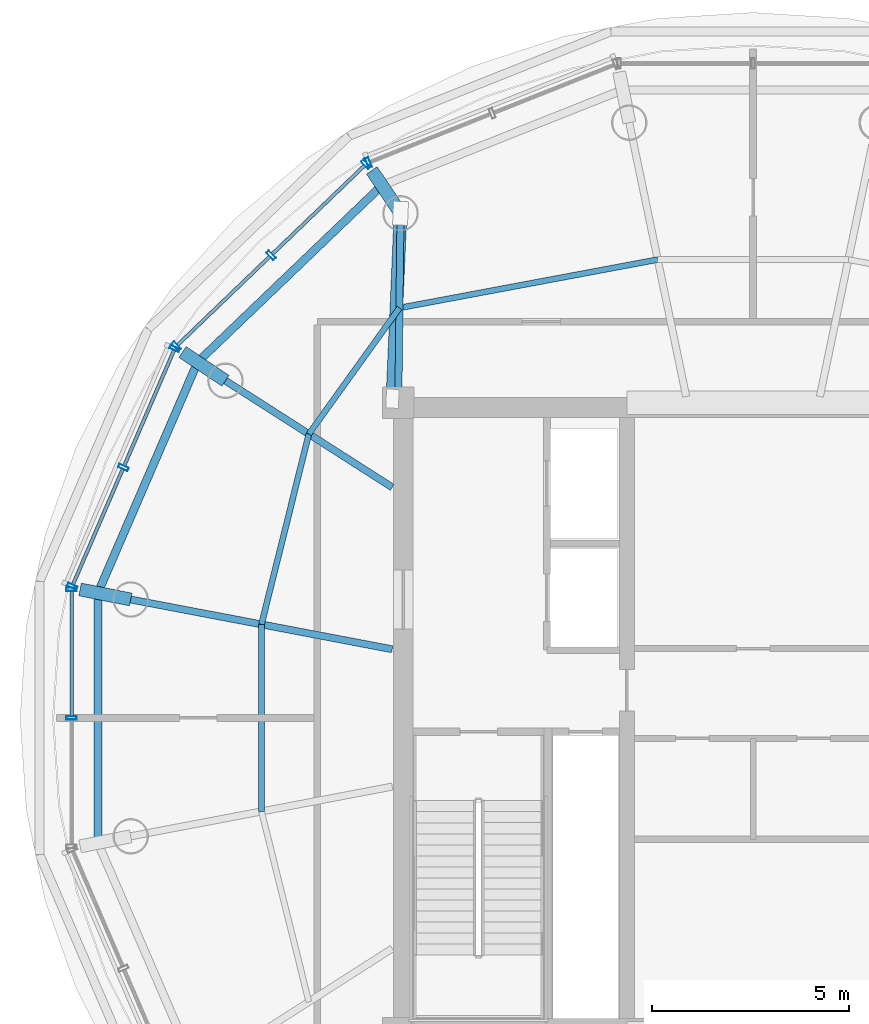
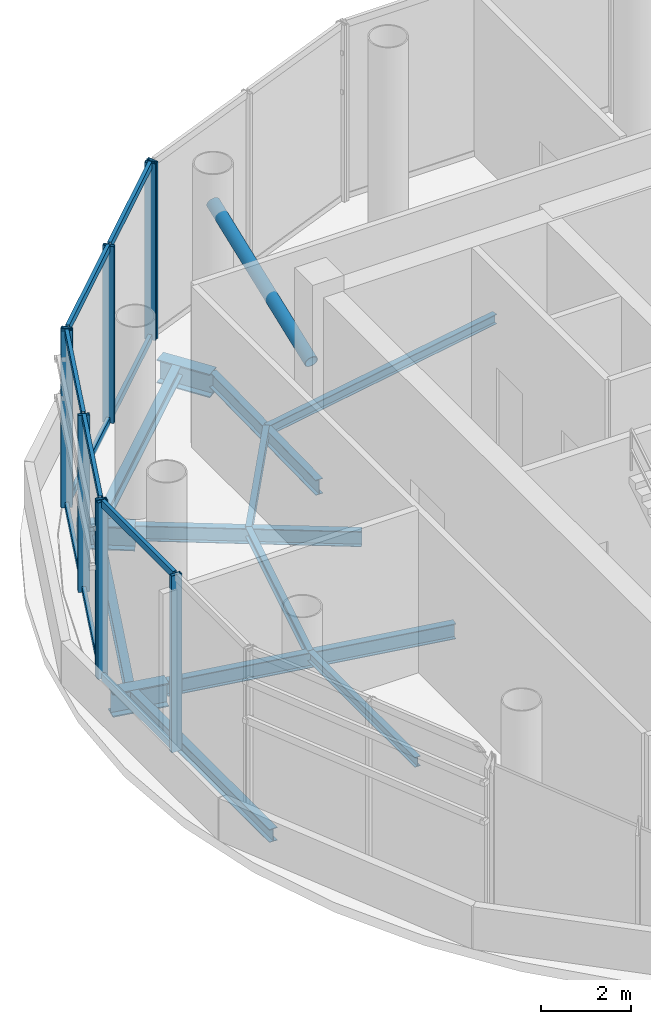
# One storey, part 5 of 15: 20 members, 13 beams, 4 elements without a shape of their own.
"""IFC4 building model written with IfcOpenShell, lengths in metres."""

from ifc_helpers import new_model, si_unit, direction, frame, origin, origin_2d, place, context, subcontext, project, spatial, hollow_rectangle, hollow_circle, i_section, extrude, source, transform, mapped, material, material_profile, profile_set, type_object, element, aggregate, save


model = new_model("IFC4")

# Units and contexts
model_context = context("Model", 3, precision=1e-05, world=origin(), true_north=direction((-0.2419218956, 0.970295726276)))
body_context = subcontext(model_context, "Body", "Model", "MODEL_VIEW")
ifc_project = project(units=[si_unit("LENGTHUNIT", "METRE"), si_unit("AREAUNIT", "SQUARE_METRE"), si_unit("VOLUMEUNIT", "CUBIC_METRE"), si_unit("PLANEANGLEUNIT", "RADIAN"), si_unit("MASSUNIT", "GRAM", prefix="KILO")], contexts=[model_context])

# Site, building, storey
site_placement = place(None, origin())
site = spatial("IfcSite", under=ifc_project, at=site_placement, CompositionType="ELEMENT")
building_placement = place(site_placement, origin())
building = spatial("IfcBuilding", under=site, at=building_placement, Name="Cobrevalo Terracotta Tower", CompositionType="ELEMENT")
storey_placement = place(building_placement, frame((0.0, 0.0, 306.10009765625)))
storey = spatial("IfcBuildingStorey", under=building, at=storey_placement, Name="L80", CompositionType="ELEMENT", Elevation=306.10009765625)

# Beams
ifc_material_1 = material(Name="Steel S355", Category="steel")
ifc_material_profile_1 = material_profile(ifc_material_1, i_section(OverallWidth=0.179931640625, OverallDepth=0.4130859375, WebThickness=0.009765625, FlangeThickness=0.01611328125, at=origin_2d()), Name="W 410x75")
ifc_profile_set_1 = profile_set([ifc_material_profile_1], Name="Steel S355")
beam_type_1 = type_object("IfcBeamType", Name="Structural Beam W 410x75 (Steel S355)", PredefinedType="BEAM", material=ifc_profile_set_1)
beam_1_placement = place(storey_placement, frame((29.055419921875, 39.604736328125, -0.626708984375), z_axis=(-0.01153378561, -0.999933483683, 0.0), x_axis=(0.999933483683, -0.01153378561, 0.0)))
element("IfcBeam", 1, at=beam_1_placement, inside=storey, type_object=beam_type_1, Name="L80 radial floor girder 06", PredefinedType="BEAM", context=body_context, shape_type="SweptSolid", body=[
    extrude(i_section(OverallWidth=0.179931640625, OverallDepth=0.4130859375, WebThickness=0.009765625, FlangeThickness=0.01611328125, at=origin_2d()), origin(), (0.0, 0.0, 1.0), 4.804931640625),
])
beam_2_placement = place(storey_placement, frame((24.61328125, 35.355712890625, -0.626708984375), z_axis=(0.84260496226, -0.538532150921, 0.0), x_axis=(0.538532150921, 0.84260496226, 0.0)))
element("IfcBeam", 2, at=beam_2_placement, inside=storey, type_object=beam_type_1, Name="L80 radial floor girder 07", PredefinedType="BEAM", context=body_context, shape_type="SweptSolid", body=[
    extrude(i_section(OverallWidth=0.179931640625, OverallDepth=0.4130859375, WebThickness=0.009765625, FlangeThickness=0.01611328125, at=origin_2d()), origin(), (0.0, 0.0, 1.0), 5.022216796875),
])
beam_3_placement = place(storey_placement, frame((22.20947265625, 29.804443359375, -0.626708984375), z_axis=(0.982371453015, -0.186939370654, 0.0), x_axis=(0.186939370654, 0.982371453015, 0.0)))
element("IfcBeam", 3, at=beam_3_placement, inside=storey, type_object=beam_type_1, Name="L80 radial floor girder 08", PredefinedType="BEAM", context=body_context, shape_type="SweptSolid", body=[
    extrude(i_section(OverallWidth=0.179931640625, OverallDepth=0.4130859375, WebThickness=0.009765625, FlangeThickness=0.01611328125, at=origin_2d()), origin(), (0.0, 0.0, 1.0), 6.754638671875),
])
ifc_material_profile_2 = material_profile(ifc_material_1, i_section(OverallWidth=0.3291015625, OverallDepth=0.635009765625, WebThickness=0.017822265625, FlangeThickness=0.031005859375, at=origin_2d()), Name="W 610x241")
ifc_profile_set_2 = profile_set([ifc_material_profile_2], Name="Steel S355")
beam_type_2 = type_object("IfcBeamType", Name="Structural Beam W 610x241 (Steel S355)", PredefinedType="BEAM", material=ifc_profile_set_2)
for number, where, z_axis, x_axis, name in (
    (4, (28.32763671875, 40.69384765625, -0.737548828125), (0.555603102571, -0.831447648631, 0.0), (0.831447648631, 0.555603102571, 0.0), "L80 setback step-link girder 06"),
    (5, (23.524169921875, 36.08349609375, -0.737548828125), (0.831447648631, -0.555603102571, 0.0), (0.555603102571, 0.831447648631, 0.0), "L80 setback step-link girder 07"),
):
    element("IfcBeam", number, at=place(storey_placement, frame(where, z_axis=z_axis, x_axis=x_axis)), inside=storey, type_object=beam_type_2, Name=name, PredefinedType="BEAM", context=body_context, shape_type="SweptSolid", body=[
        extrude(i_section(OverallWidth=0.3291015625, OverallDepth=0.635009765625, WebThickness=0.017822265625, FlangeThickness=0.031005859375, at=origin_2d()), origin(), (0.0, 0.0, 1.0), 1.309814453125),
    ])
beam_4_placement = place(storey_placement, frame((20.924560546875, 30.06005859375, -0.737548828125), z_axis=(0.980780851142, -0.195112588095, 0.0), x_axis=(0.195112588095, 0.980780851142, 0.0)))
element("IfcBeam", 6, at=beam_4_placement, inside=storey, type_object=beam_type_2, Name="L80 setback step-link girder 08", PredefinedType="BEAM", context=body_context, shape_type="SweptSolid", body=[
    extrude(i_section(OverallWidth=0.3291015625, OverallDepth=0.635009765625, WebThickness=0.017822265625, FlangeThickness=0.031005859375, at=origin_2d()), origin(), (0.0, 0.0, 1.0), 1.31005859375),
])
ifc_material_profile_3 = material_profile(ifc_material_1, i_section(OverallWidth=0.14794921875, OverallDepth=0.26611328125, WebThickness=0.007568359375, FlangeThickness=0.012939453125, at=origin_2d()), Name="W 250x44.8")
ifc_profile_set_3 = profile_set([ifc_material_profile_3], Name="Steel S355")
beam_type_3 = type_object("IfcBeamType", Name="Structural Joist W 250x44.8 (Steel S355)", PredefinedType="JOIST", material=ifc_profile_set_3)
beam_5_placement = place(storey_placement, frame((35.58154296875, 38.429443359375, -0.552978515625), z_axis=(-0.982921477939, -0.184025455322, 0.0), x_axis=(0.184025455322, -0.982921477939, 0.0)))
element("IfcBeam", 7, at=beam_5_placement, inside=storey, type_object=beam_type_3, Name="L80 circumferential secondary floor joist 05", PredefinedType="JOIST", context=body_context, shape_type="SweptSolid", body=[
    extrude(i_section(OverallWidth=0.14794921875, OverallDepth=0.26611328125, WebThickness=0.007568359375, FlangeThickness=0.012939453125, at=origin_2d()), origin(), (0.0, 0.0, 1.0), 6.667724609375),
])
beam_6_placement = place(storey_placement, frame((29.027587890625, 37.202392578125, -0.552978515625), z_axis=(-0.583481506164, -0.812126426096, 0.0), x_axis=(0.812126426096, -0.583481506164, 0.0)))
element("IfcBeam", 8, at=beam_6_placement, inside=storey, type_object=beam_type_3, Name="L80 circumferential secondary floor joist 06", PredefinedType="JOIST", context=body_context, shape_type="SweptSolid", body=[
    extrude(i_section(OverallWidth=0.14794921875, OverallDepth=0.26611328125, WebThickness=0.007568359375, FlangeThickness=0.012939453125, at=origin_2d()), origin(), (0.0, 0.0, 1.0), 3.93896484375),
])
beam_7_placement = place(storey_placement, frame((26.729248046875, 34.00341796875, -0.552978515625), z_axis=(-0.241508383165, -0.970398732924, 0.0), x_axis=(0.970398732924, -0.241508383165, 0.0)))
element("IfcBeam", 9, at=beam_7_placement, inside=storey, type_object=beam_type_3, Name="L80 circumferential secondary floor joist 07", PredefinedType="JOIST", context=body_context, shape_type="SweptSolid", body=[
    extrude(i_section(OverallWidth=0.14794921875, OverallDepth=0.26611328125, WebThickness=0.007568359375, FlangeThickness=0.012939453125, at=origin_2d()), origin(), (0.0, 0.0, 1.0), 4.977783203125),
])
beam_8_placement = place(storey_placement, frame((25.527099609375, 29.173095703125, -0.552978515625), z_axis=(0.0, -1.0, 0.0), x_axis=(1.0, 0.0, 0.0)))
element("IfcBeam", 10, at=beam_8_placement, inside=storey, type_object=beam_type_3, Name="L80 circumferential secondary floor joist 08", PredefinedType="JOIST", context=body_context, shape_type="SweptSolid", body=[
    extrude(i_section(OverallWidth=0.14794921875, OverallDepth=0.26611328125, WebThickness=0.007568359375, FlangeThickness=0.012939453125, at=origin_2d()), origin(), (0.0, 0.0, 1.0), 4.746337890625),
])
ifc_material_profile_4 = material_profile(ifc_material_1, i_section(OverallWidth=0.205078125, OverallDepth=0.35400390625, WebThickness=0.009521484375, FlangeThickness=0.016845703125, at=origin_2d()), Name="W 360x79")
ifc_profile_set_4 = profile_set([ifc_material_profile_4], Name="Steel S355")
beam_type_4 = type_object("IfcBeamType", Name="Structural Spandrel W 360x79 (Steel S355)", PredefinedType="SPANDREL", material=ifc_profile_set_4)
beam_9_placement = place(storey_placement, frame((28.5830078125, 40.311279296875, -0.59716796875), z_axis=(-0.721872886551, -0.69202567558, 0.0), x_axis=(0.69202567558, -0.721872886551, 0.0)))
element("IfcBeam", 11, at=beam_9_placement, inside=storey, type_object=beam_type_4, Name="L80 perimeter ring spandrel 06", PredefinedType="SPANDREL", context=body_context, shape_type="SweptSolid", body=[
    extrude(i_section(OverallWidth=0.205078125, OverallDepth=0.35400390625, WebThickness=0.009521484375, FlangeThickness=0.016845703125, at=origin_2d()), origin(), (0.0, 0.0, 1.0), 6.478271484375),
])
beam_10_placement = place(storey_placement, frame((23.906494140625, 35.828125, -0.59716796875), z_axis=(-0.396595776552, -0.917993349661, 0.0), x_axis=(0.917993349661, -0.396595776552, 0.0)))
element("IfcBeam", 12, at=beam_10_placement, inside=storey, type_object=beam_type_4, Name="L80 perimeter ring spandrel 07", PredefinedType="SPANDREL", context=body_context, shape_type="SweptSolid", body=[
    extrude(i_section(OverallWidth=0.205078125, OverallDepth=0.35400390625, WebThickness=0.009521484375, FlangeThickness=0.016845703125, at=origin_2d()), origin(), (0.0, 0.0, 1.0), 6.381103515625),
])
beam_11_placement = place(storey_placement, frame((21.375732421875, 29.97021484375, -0.59716796875), z_axis=(0.0, -1.0, 0.0), x_axis=(1.0, 0.0, 0.0)))
element("IfcBeam", 13, at=beam_11_placement, inside=storey, type_object=beam_type_4, Name="L80 perimeter ring spandrel 08", PredefinedType="SPANDREL", context=body_context, shape_type="SweptSolid", body=[
    extrude(i_section(OverallWidth=0.205078125, OverallDepth=0.35400390625, WebThickness=0.009521484375, FlangeThickness=0.016845703125, at=origin_2d()), origin(), (0.0, 0.0, 1.0), 6.34033203125),
])

# Member
ifc_material_profile_5 = material_profile(ifc_material_1, hollow_circle(Radius=0.162109375, WallThickness=0.013916015625, at=origin_2d()), Name="CHS 324x14")
ifc_profile_set_5 = profile_set([ifc_material_profile_5], Name="Steel S355")
member_type_1 = type_object("IfcMemberType", Name="Steel Brace CHS 324x14 (Steel S355)", PredefinedType="BRACE", material=ifc_profile_set_5)
shared_shape_1 = source(origin(), body_context, "Body", "SweptSolid", [
    extrude(hollow_circle(Radius=0.162109375, WallThickness=0.013916015625, at=origin_2d()), origin(), (0.0, 0.0, 1.0), 4.9072265625),
])
member_1_placement = place(storey_placement, frame((28.85009765625, 34.89990234375, 2.75), z_axis=(0.041840080102, 0.958739814085, 0.281189218474), x_axis=(-0.999049102523, 0.043599205813, 0.0)))
element("IfcMember", 14, at=member_1_placement, inside=storey, type_object=member_type_1, Name="L80 CROWN FRAME radial brace 02", PredefinedType="BRACE", context=body_context, shape_type="MappedRepresentation", body=[
    mapped(shared_shape_1, transform((0.0, 0.0, 0.0), scale=1.0)),
])

# Curtain wall, member
ifc_material_2 = material(Name="Anodized aluminium", Category="aluminium")
curtain_wall_type = type_object("IfcCurtainWallType", Name="Faceted glass-point crown structural glazing system CW-CR", PredefinedType="NOTDEFINED", material=ifc_material_2)
curtain_wall_1_placement = place(storey_placement, origin())
curtain_wall_1 = element("IfcCurtainWall", 15, at=curtain_wall_1_placement, inside=storey, type_object=curtain_wall_type, Name="L80 curtain wall CW-CRN-L80-S05", PredefinedType="NOTDEFINED")
ifc_material_profile_6 = material_profile(ifc_material_2, hollow_rectangle(XDim=0.090087890625, YDim=0.260009765625, WallThickness=0.006103515625, at=origin_2d()), Name="CWM 90x260")
ifc_profile_set_6 = profile_set([ifc_material_profile_6], Name="Anodized aluminium")
member_type_2 = type_object("IfcMemberType", Name="Crown structural glass mullion 90x260", PredefinedType="MULLION", material=ifc_profile_set_6)
shared_shape_2 = source(origin(), body_context, "Body", "SweptSolid", [
    extrude(hollow_rectangle(XDim=0.090087890625, YDim=0.260009765625, WallThickness=0.006103515625, at=origin_2d()), origin(), (0.0, 0.0, 1.0), 4.77978515625),
])
member_2_placement = place(storey_placement, frame((28.242431640625, 40.8916015625, 0.0), z_axis=(0.0, 0.0, 1.0), x_axis=(-0.929190639756, -0.36960080491, 0.0)))
member_2 = element("IfcMember", 16, at=member_2_placement, type_object=member_type_2, Name="CW-CRN-L80-S05 vertical mullion 03", PredefinedType="MULLION", context=body_context, shape_type="MappedRepresentation", body=[
    mapped(shared_shape_2, transform((0.0, 0.0, 0.0), scale=1.0)),
])
aggregate(curtain_wall_1, [member_2])

# Curtain wall, members
curtain_wall_2_placement = place(storey_placement, origin())
curtain_wall_2 = element("IfcCurtainWall", 17, at=curtain_wall_2_placement, inside=storey, type_object=curtain_wall_type, Name="L80 curtain wall CW-CRN-L80-S06", PredefinedType="NOTDEFINED")
member_3_placement = place(storey_placement, frame((28.176513671875, 40.84912109375, 0.0), z_axis=(0.0, 0.0, 1.0), x_axis=(-0.721276845158, -0.692646888854, 0.0)))
member_3 = element("IfcMember", 18, at=member_3_placement, type_object=member_type_2, Name="CW-CRN-L80-S06 vertical mullion 01", PredefinedType="MULLION", context=body_context, shape_type="MappedRepresentation", body=[
    mapped(shared_shape_2, transform((0.0, 0.0, 0.0), scale=1.0)),
])
member_4_placement = place(storey_placement, frame((25.773193359375, 38.541259765625, 0.0), z_axis=(0.0, 0.0, 1.0), x_axis=(-0.721276845158, -0.692646888854, 0.0)))
member_4 = element("IfcMember", 19, at=member_4_placement, type_object=member_type_2, Name="CW-CRN-L80-S06 vertical mullion 02", PredefinedType="MULLION", context=body_context, shape_type="MappedRepresentation", body=[
    mapped(shared_shape_2, transform((0.0, 0.0, 0.0), scale=1.0)),
])
member_5_placement = place(storey_placement, frame((23.3701171875, 36.2333984375, 0.0), z_axis=(0.0, 0.0, 1.0), x_axis=(-0.721276845158, -0.692646888854, 0.0)))
member_5 = element("IfcMember", 20, at=member_5_placement, type_object=member_type_2, Name="CW-CRN-L80-S06 vertical mullion 03", PredefinedType="MULLION", context=body_context, shape_type="MappedRepresentation", body=[
    mapped(shared_shape_2, transform((0.0, 0.0, 0.0), scale=1.0)),
])

curtain_wall_3_placement = place(storey_placement, origin())
curtain_wall_3 = element("IfcCurtainWall", 21, at=curtain_wall_3_placement, inside=storey, type_object=curtain_wall_type, Name="L80 curtain wall CW-CRN-L80-S07", PredefinedType="NOTDEFINED")
member_6_placement = place(storey_placement, frame((23.325439453125, 36.169189453125, 0.0), z_axis=(0.0, 0.0, 1.0), x_axis=(-0.396058398073, -0.918225323826, 0.0)))
member_6 = element("IfcMember", 22, at=member_6_placement, type_object=member_type_2, Name="CW-CRN-L80-S07 vertical mullion 01", PredefinedType="MULLION", context=body_context, shape_type="MappedRepresentation", body=[
    mapped(shared_shape_2, transform((0.0, 0.0, 0.0), scale=1.0)),
])
member_7_placement = place(storey_placement, frame((22.02490234375, 33.154296875, 0.0), z_axis=(0.0, 0.0, 1.0), x_axis=(-0.396058398073, -0.918225323826, 0.0)))
member_7 = element("IfcMember", 23, at=member_7_placement, type_object=member_type_2, Name="CW-CRN-L80-S07 vertical mullion 02", PredefinedType="MULLION", context=body_context, shape_type="MappedRepresentation", body=[
    mapped(shared_shape_2, transform((0.0, 0.0, 0.0), scale=1.0)),
])
member_8_placement = place(storey_placement, frame((20.724609375, 30.1396484375, 0.0), z_axis=(0.0, 0.0, 1.0), x_axis=(-0.396058398073, -0.918225323826, 0.0)))
member_8 = element("IfcMember", 24, at=member_8_placement, type_object=member_type_2, Name="CW-CRN-L80-S07 vertical mullion 03", PredefinedType="MULLION", context=body_context, shape_type="MappedRepresentation", body=[
    mapped(shared_shape_2, transform((0.0, 0.0, 0.0), scale=1.0)),
])

curtain_wall_4_placement = place(storey_placement, origin())
curtain_wall_4 = element("IfcCurtainWall", 25, at=curtain_wall_4_placement, inside=storey, type_object=curtain_wall_type, Name="L80 curtain wall CW-CRN-L80-S08", PredefinedType="NOTDEFINED")
member_9_placement = place(storey_placement, frame((20.708740234375, 30.06298828125, 0.0), z_axis=(0.0, 0.0, 1.0), x_axis=(0.0, -1.0, 0.0)))
member_9 = element("IfcMember", 26, at=member_9_placement, type_object=member_type_2, Name="CW-CRN-L80-S08 vertical mullion 01", PredefinedType="MULLION", context=body_context, shape_type="MappedRepresentation", body=[
    mapped(shared_shape_2, transform((0.0, 0.0, 0.0), scale=1.0)),
])
member_10_placement = place(storey_placement, frame((20.708740234375, 26.800048828125, 0.0), z_axis=(0.0, 0.0, 1.0), x_axis=(0.0, -1.0, 0.0)))
member_10 = element("IfcMember", 27, at=member_10_placement, type_object=member_type_2, Name="CW-CRN-L80-S08 vertical mullion 02", PredefinedType="MULLION", context=body_context, shape_type="MappedRepresentation", body=[
    mapped(shared_shape_2, transform((0.0, 0.0, 0.0), scale=1.0)),
])

# Member
ifc_material_profile_7 = material_profile(ifc_material_2, hollow_rectangle(XDim=0.090087890625, YDim=0.195068359375, WallThickness=0.005615234375, at=origin_2d()), Name="CWT 90x195")
ifc_profile_set_7 = profile_set([ifc_material_profile_7], Name="Anodized aluminium")
member_type_3 = type_object("IfcMemberType", Name="Crown structural aluminium transom 90x195", PredefinedType="USERDEFINED", material=ifc_profile_set_7)
shared_shape_3 = source(origin(), body_context, "Body", "SweptSolid", [
    extrude(hollow_rectangle(XDim=0.090087890625, YDim=0.195068359375, WallThickness=0.005615234375, at=origin_2d()), origin(), (0.0, 0.0, 1.0), 3.203369140625),
])
member_11_placement = place(storey_placement, frame((22.009033203125, 33.11767578125, 0.0498046875), z_axis=(-0.396015512265, -0.918243820587, 0.0), x_axis=(0.918243820587, -0.396015512265, 0.0)))
member_11 = element("IfcMember", 28, at=member_11_placement, type_object=member_type_3, Name="CW-CRN-L80-S07 transom B02-T1", ObjectType="TRANSOM", PredefinedType="USERDEFINED", context=body_context, shape_type="MappedRepresentation", body=[
    mapped(shared_shape_3, transform((0.0, 0.0, 0.0), scale=1.0)),
])

member_12_placement = place(storey_placement, frame((22.009033203125, 33.11767578125, 4.72998046875), z_axis=(-0.396015512265, -0.918243820587, 0.0), x_axis=(0.918243820587, -0.396015512265, 0.0)))
member_12 = element("IfcMember", 29, at=member_12_placement, type_object=member_type_3, Name="CW-CRN-L80-S07 transom B02-T2", ObjectType="TRANSOM", PredefinedType="USERDEFINED", context=body_context, shape_type="MappedRepresentation", body=[
    mapped(shared_shape_3, transform((0.0, 0.0, 0.0), scale=1.0)),
])

shared_shape_4 = source(origin(), body_context, "Body", "SweptSolid", [
    extrude(hollow_rectangle(XDim=0.090087890625, YDim=0.195068359375, WallThickness=0.005615234375, at=origin_2d()), origin(), (0.0, 0.0, 1.0), 3.203125),
])
member_13_placement = place(storey_placement, frame((23.3095703125, 36.13232421875, 0.0498046875), z_axis=(-0.396107491553, -0.918204146765, 0.0), x_axis=(0.918204146765, -0.396107491553, 0.0)))
member_13 = element("IfcMember", 30, at=member_13_placement, type_object=member_type_3, Name="CW-CRN-L80-S07 transom B01-T1", ObjectType="TRANSOM", PredefinedType="USERDEFINED", context=body_context, shape_type="MappedRepresentation", body=[
    mapped(shared_shape_4, transform((0.0, 0.0, 0.0), scale=1.0)),
])

member_14_placement = place(storey_placement, frame((23.3095703125, 36.13232421875, 4.72998046875), z_axis=(-0.396107491553, -0.918204146765, 0.0), x_axis=(0.918204146765, -0.396107491553, 0.0)))
member_14 = element("IfcMember", 31, at=member_14_placement, type_object=member_type_3, Name="CW-CRN-L80-S07 transom B01-T2", ObjectType="TRANSOM", PredefinedType="USERDEFINED", context=body_context, shape_type="MappedRepresentation", body=[
    mapped(shared_shape_4, transform((0.0, 0.0, 0.0), scale=1.0)),
])

aggregate(curtain_wall_3, [member_6, member_7, member_8, member_13, member_14, member_11, member_12])

shared_shape_5 = source(origin(), body_context, "Body", "SweptSolid", [
    extrude(hollow_rectangle(XDim=0.090087890625, YDim=0.195068359375, WallThickness=0.005615234375, at=origin_2d()), origin(), (0.0, 0.0, 1.0), 3.251953125),
])
member_15_placement = place(storey_placement, frame((28.147705078125, 40.8212890625, 0.0498046875), z_axis=(-0.721337809763, -0.692583398737, 0.0), x_axis=(0.692583398737, -0.721337809763, 0.0)))
member_15 = element("IfcMember", 32, at=member_15_placement, type_object=member_type_3, Name="CW-CRN-L80-S06 transom B01-T1", ObjectType="TRANSOM", PredefinedType="USERDEFINED", context=body_context, shape_type="MappedRepresentation", body=[
    mapped(shared_shape_5, transform((0.0, 0.0, 0.0), scale=1.0)),
])

member_16_placement = place(storey_placement, frame((28.147705078125, 40.8212890625, 4.72998046875), z_axis=(-0.721337809763, -0.692583398737, 0.0), x_axis=(0.692583398737, -0.721337809763, 0.0)))
member_16 = element("IfcMember", 33, at=member_16_placement, type_object=member_type_3, Name="CW-CRN-L80-S06 transom B01-T2", ObjectType="TRANSOM", PredefinedType="USERDEFINED", context=body_context, shape_type="MappedRepresentation", body=[
    mapped(shared_shape_5, transform((0.0, 0.0, 0.0), scale=1.0)),
])

member_17_placement = place(storey_placement, frame((25.744384765625, 38.513671875, 0.0498046875), z_axis=(-0.721264285966, -0.692659966932, 0.0), x_axis=(0.692659966932, -0.721264285966, 0.0)))
member_17 = element("IfcMember", 34, at=member_17_placement, type_object=member_type_3, Name="CW-CRN-L80-S06 transom B02-T1", ObjectType="TRANSOM", PredefinedType="USERDEFINED", context=body_context, shape_type="MappedRepresentation", body=[
    mapped(shared_shape_5, transform((0.0, 0.0, 0.0), scale=1.0)),
])

member_18_placement = place(storey_placement, frame((25.744384765625, 38.513671875, 4.72998046875), z_axis=(-0.721264285966, -0.692659966932, 0.0), x_axis=(0.692659966932, -0.721264285966, 0.0)))
member_18 = element("IfcMember", 35, at=member_18_placement, type_object=member_type_3, Name="CW-CRN-L80-S06 transom B02-T2", ObjectType="TRANSOM", PredefinedType="USERDEFINED", context=body_context, shape_type="MappedRepresentation", body=[
    mapped(shared_shape_5, transform((0.0, 0.0, 0.0), scale=1.0)),
])

aggregate(curtain_wall_2, [member_3, member_4, member_5, member_15, member_16, member_17, member_18])

shared_shape_6 = source(origin(), body_context, "Body", "SweptSolid", [
    extrude(hollow_rectangle(XDim=0.090087890625, YDim=0.195068359375, WallThickness=0.005615234375, at=origin_2d()), origin(), (0.0, 0.0, 1.0), 3.182861328125),
])
member_19_placement = place(storey_placement, frame((20.708740234375, 30.02294921875, 0.0498046875), z_axis=(0.0, -1.0, 0.0), x_axis=(1.0, 0.0, 0.0)))
member_19 = element("IfcMember", 36, at=member_19_placement, type_object=member_type_3, Name="CW-CRN-L80-S08 transom B01-T1", ObjectType="TRANSOM", PredefinedType="USERDEFINED", context=body_context, shape_type="MappedRepresentation", body=[
    mapped(shared_shape_6, transform((0.0, 0.0, 0.0), scale=1.0)),
])

member_20_placement = place(storey_placement, frame((20.708740234375, 30.02294921875, 4.72998046875), z_axis=(0.0, -1.0, 0.0), x_axis=(1.0, 0.0, 0.0)))
member_20 = element("IfcMember", 37, at=member_20_placement, type_object=member_type_3, Name="CW-CRN-L80-S08 transom B01-T2", ObjectType="TRANSOM", PredefinedType="USERDEFINED", context=body_context, shape_type="MappedRepresentation", body=[
    mapped(shared_shape_6, transform((0.0, 0.0, 0.0), scale=1.0)),
])

aggregate(curtain_wall_4, [member_9, member_10, member_19, member_20])

save(model, "model.ifc")
